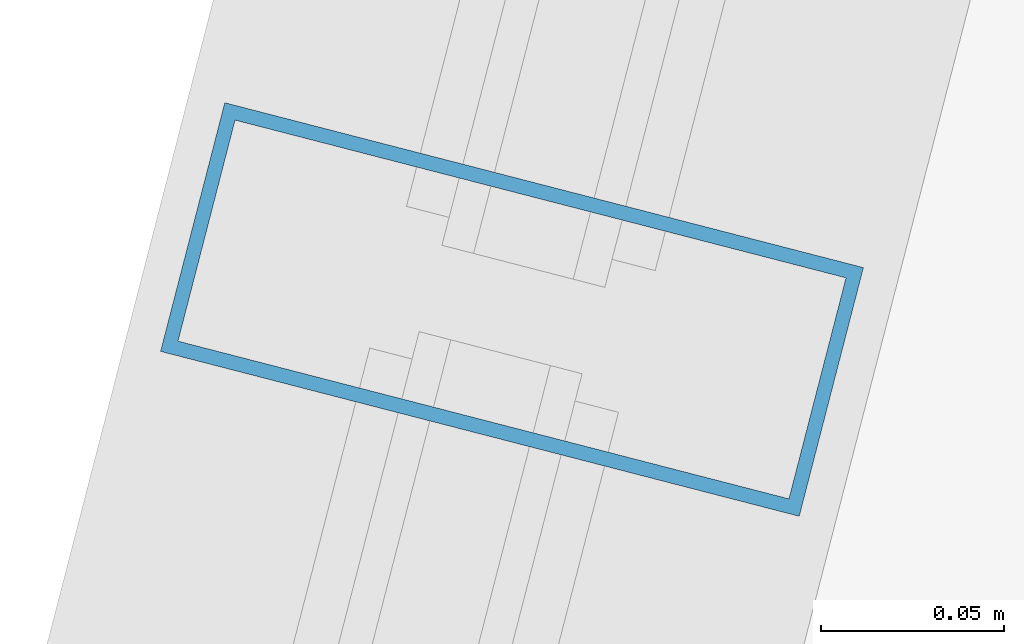
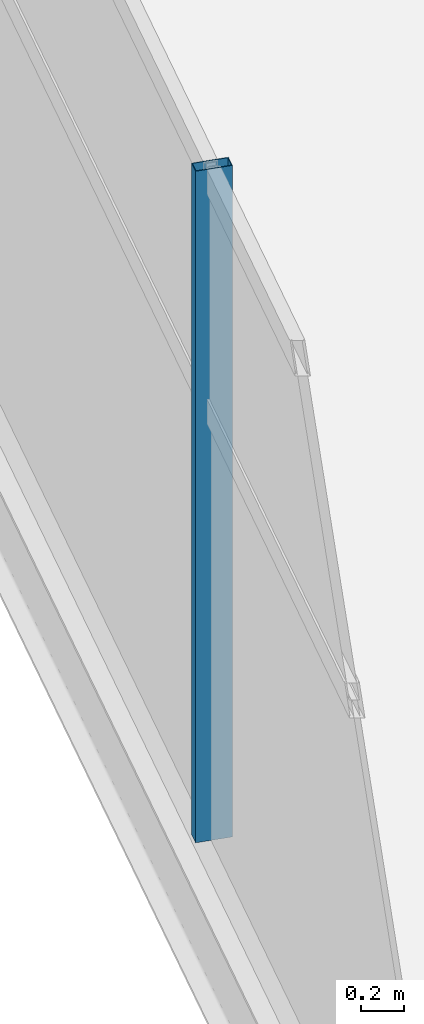
# One storey, part 33 of 156: 1 member, 1 element without a shape of its own.
"""IFC4 building model written with IfcOpenShell, lengths in metres."""

from ifc_helpers import new_model, si_unit, direction, frame, origin, origin_2d, place, context, subcontext, project, spatial, hollow_rectangle, extrude, material, layer, layer_set, material_profile, profile_set, type_object, element, aggregate, save


model = new_model("IFC4")

# Units and contexts
model_context = context("Model", 3, precision=1e-05, world=origin(), true_north=direction((0.0, 1.0)))
body_context = subcontext(model_context, "Body", "Model", "MODEL_VIEW")
ifc_project = project(units=[si_unit("LENGTHUNIT", "METRE"), si_unit("AREAUNIT", "SQUARE_METRE"), si_unit("VOLUMEUNIT", "CUBIC_METRE"), si_unit("PLANEANGLEUNIT", "RADIAN"), si_unit("MASSUNIT", "GRAM", prefix="KILO")], contexts=[model_context])

# Site, building, storey
site_placement = place(None, origin())
site = spatial("IfcSite", under=ifc_project, at=site_placement, CompositionType="ELEMENT")
building_placement = place(site_placement, origin())
building = spatial("IfcBuilding", under=site, at=building_placement, Name="Kazemori Nagisa Stadium", CompositionType="ELEMENT")
storey_placement = place(building_placement, frame((0.0, 0.0, 5.780029296875)))
storey = spatial("IfcBuildingStorey", under=building, at=storey_placement, Name="L01", CompositionType="ELEMENT", Elevation=5.780029296875)

# Curtain wall, member
ifc_material_1 = material(Name="Anodised aluminium 6063-T5", Category="aluminium")
ifc_layer = layer(ifc_material_1, 0.179931640625, Name="Anodised aluminium 6063-T5", Category="aluminium")
ifc_layer_set = layer_set([ifc_layer], Name="Anodised aluminium 6063-T5")
curtain_wall_type = type_object("IfcCurtainWallType", Name="CW_L01R3_96", PredefinedType="USERDEFINED", material=ifc_layer_set)
curtain_wall_placement = place(storey_placement, origin())
curtain_wall = element("IfcCurtainWall", 1, at=curtain_wall_placement, inside=storey, type_object=curtain_wall_type, Name="Unitised curtain wall CW-L01R3-96 L01", ObjectType="UNITISED CURTAIN WALL", PredefinedType="USERDEFINED")
ifc_material_2 = material(Name="Aluminium 6063-T5 anodised", Category="aluminium")
ifc_material_profile = material_profile(ifc_material_2, hollow_rectangle(XDim=0.070068359375, YDim=0.179931640625, WallThickness=0.00390625, at=origin_2d()), Name="ALU-MULL-70x180x4")
ifc_profile_set = profile_set([ifc_material_profile], Name="Aluminium 6063-T5 anodised")
member_type = type_object("IfcMemberType", Name="Mullion_M01", PredefinedType="MULLION", material=ifc_profile_set)
member_placement = place(storey_placement, frame((24.821533203125, 127.991943359375, 0.0), z_axis=(0.0, 0.0, 1.0), x_axis=(-0.249964642418, -0.968254965152, 0.0)))
member = element("IfcMember", 2, at=member_placement, type_object=member_type, Name="Curtain wall mullion CW-L01R3-96-M3", PredefinedType="MULLION", context=body_context, shape_type="SweptSolid", body=[
    extrude(hollow_rectangle(XDim=0.070068359375, YDim=0.179931640625, WallThickness=0.00390625, at=origin_2d()), origin(), (0.0, 0.0, 1.0), 3.849853515625),
])
aggregate(curtain_wall, [member])

save(model, "model.ifc")
